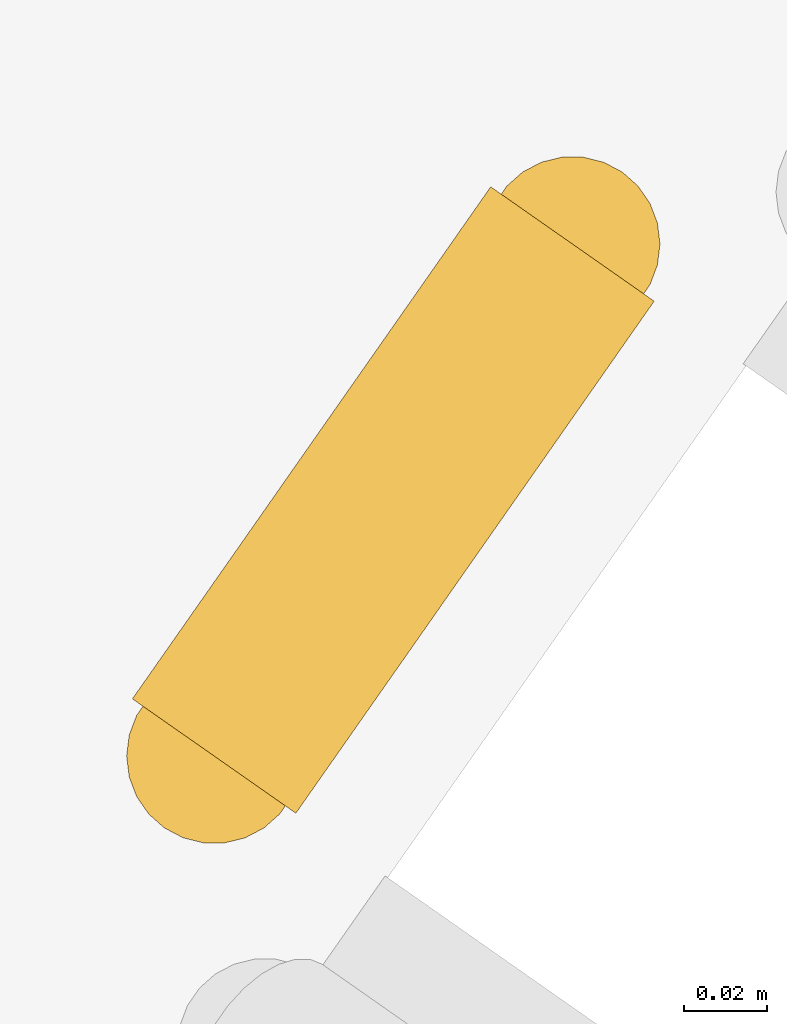
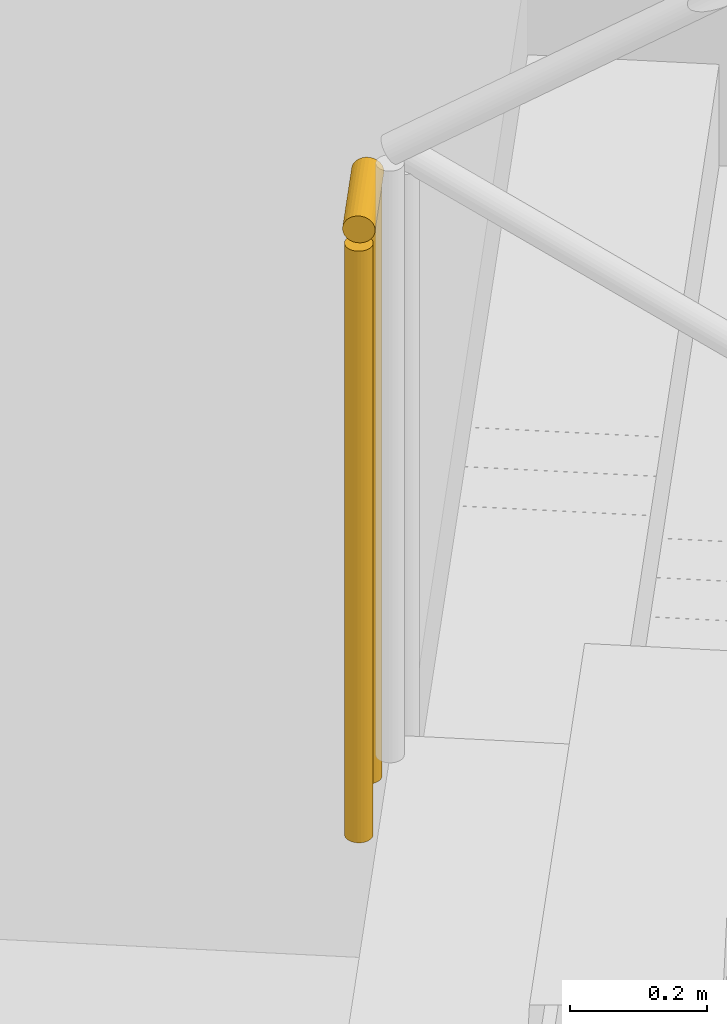
# One storey, part 23 of 25: 1 railing.
"""IFC4 building model written with IfcOpenShell, lengths in metres."""

from ifc_helpers import new_model, si_unit, direction, frame, origin, origin_2d, place, context, subcontext, project, spatial, circle, extrude, material, type_object, element, save


model = new_model("IFC4")

# Units and contexts
model_context = context("Model", 3, precision=1e-05, world=origin(), true_north=direction((0.0, 1.0)))
body_context = subcontext(model_context, "Body", "Model", "MODEL_VIEW")
ifc_project = project(units=[si_unit("LENGTHUNIT", "METRE"), si_unit("AREAUNIT", "SQUARE_METRE"), si_unit("VOLUMEUNIT", "CUBIC_METRE"), si_unit("PLANEANGLEUNIT", "RADIAN"), si_unit("MASSUNIT", "GRAM", prefix="KILO")], contexts=[model_context])

# Site, building, storey
site_placement = place(None, origin())
site = spatial("IfcSite", under=ifc_project, at=site_placement, CompositionType="ELEMENT")
building_placement = place(site_placement, origin())
building = spatial("IfcBuilding", under=site, at=building_placement, Name="Tel Ilan Convention Tower", CompositionType="ELEMENT")
storey_placement = place(building_placement, frame((0.0, 0.0, 58.10009765625)))
storey = spatial("IfcBuildingStorey", under=building, at=storey_placement, Name="L09", CompositionType="ELEMENT", Elevation=58.10009765625)

# Railing
ifc_material = material(Name="Stainless Steel Grade 316", Category="steel")
railing_type = type_object("IfcRailingType", Name="Stainless Steel Stair Guard 1100 mm", PredefinedType="GUARDRAIL", material=ifc_material)
railing_placement = place(storey_placement, frame((18.762939453125, -10.391357421875, 1.7998046875)))
element("IfcRailing", 1, at=railing_placement, inside=storey, type_object=railing_type, Name="L09 S4 stair guard 2", PredefinedType="GUARDRAIL", context=body_context, shape_type="SweptSolid", body=[
    extrude(circle(Radius=0.02392578125, at=origin_2d()), frame((0.0, 0.0, 1.076171875), z_axis=(-0.573353020881, -0.819308436089, 0.0), x_axis=(0.819308436089, -0.573353020881, 0.0)), (0.0, 0.0, 1.0), 0.14990234375),
    extrude(circle(Radius=0.02099609375, at=origin_2d()), origin(), (0.0, 0.0, 1.0), 1.052001953125),
    extrude(circle(Radius=0.02099609375, at=origin_2d()), frame((-0.0859375, -0.122802734375, 0.0)), (0.0, 0.0, 1.0), 1.052001953125),
])

save(model, "model.ifc")
